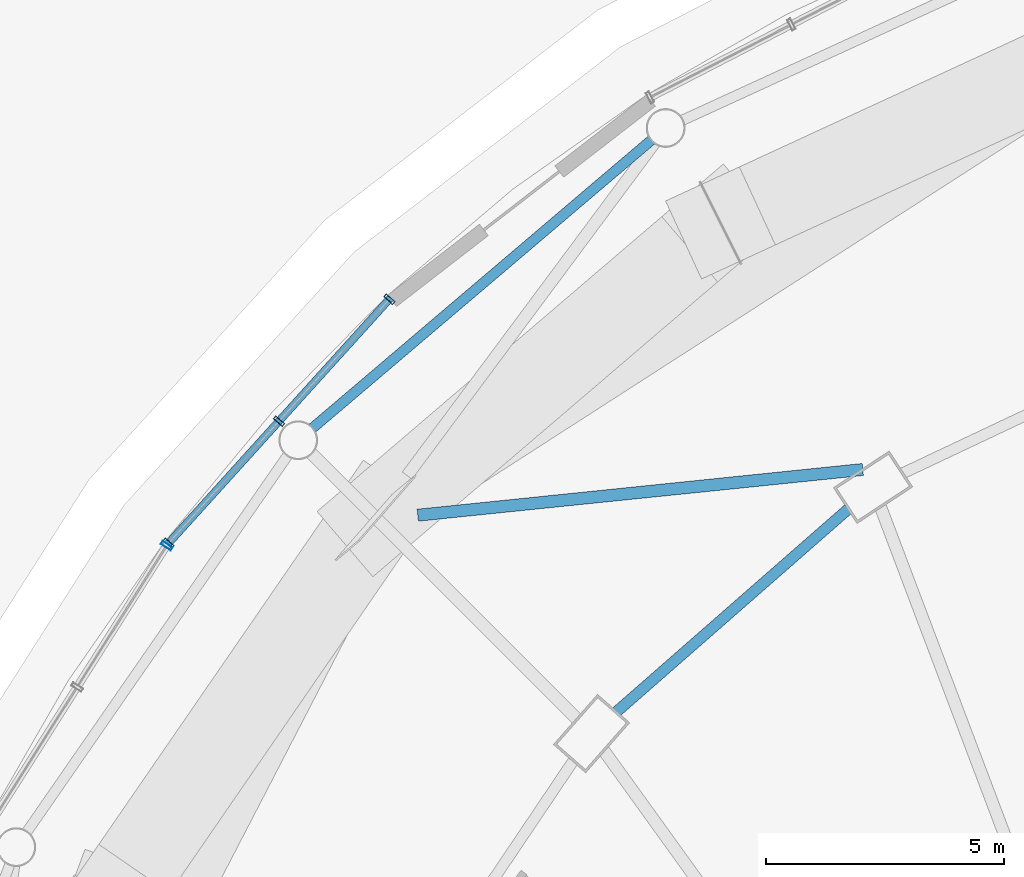
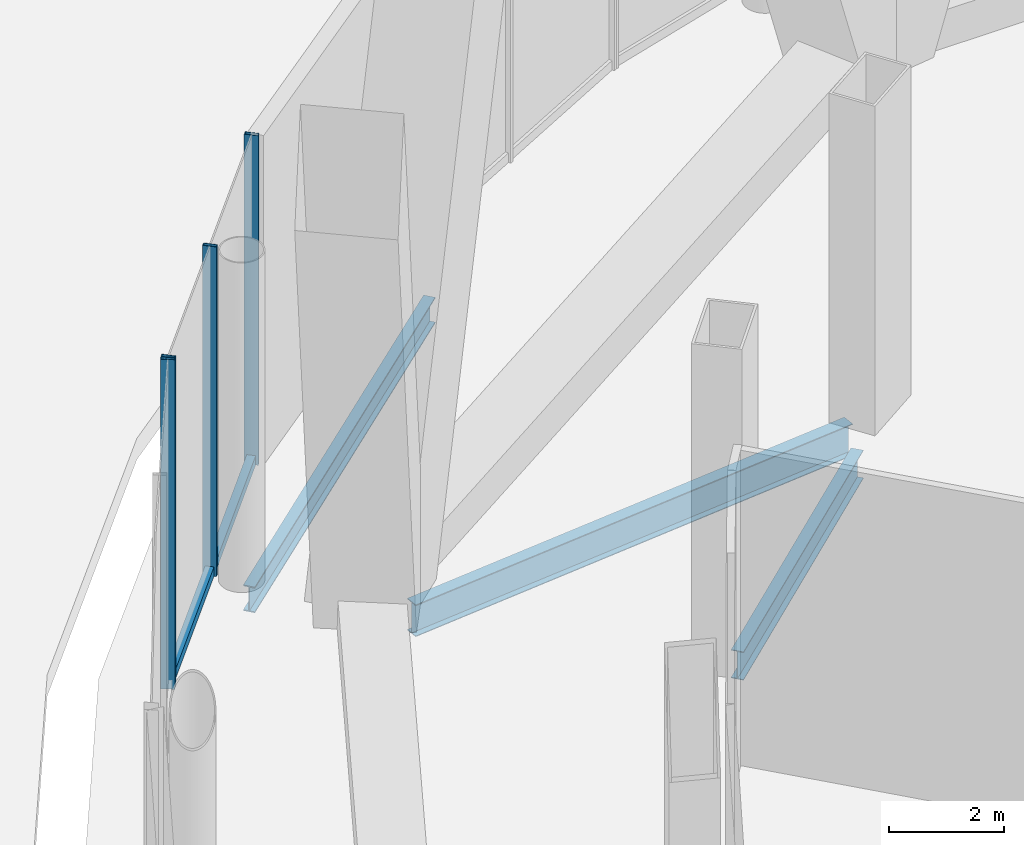
# One storey, part 43 of 67: 5 members, 3 beams, 2 elements without a shape of their own.
"""IFC4 building model written with IfcOpenShell, lengths in metres."""

from ifc_helpers import new_model, si_unit, direction, frame, origin, origin_2d, place, context, subcontext, project, spatial, hollow_rectangle, i_section, extrude, material, layer, layer_set, material_profile, profile_set, type_object, element, aggregate, save


model = new_model("IFC4")

# Units and contexts
model_context = context("Model", 3, precision=1e-05, world=origin(), true_north=direction((0.0, 1.0)))
body_context = subcontext(model_context, "Body", "Model", "MODEL_VIEW")
ifc_project = project(units=[si_unit("LENGTHUNIT", "METRE"), si_unit("AREAUNIT", "SQUARE_METRE"), si_unit("VOLUMEUNIT", "CUBIC_METRE"), si_unit("PLANEANGLEUNIT", "RADIAN"), si_unit("MASSUNIT", "GRAM", prefix="KILO")], contexts=[model_context])

# Site, building, storey
site_placement = place(None, origin())
site = spatial("IfcSite", under=ifc_project, at=site_placement, CompositionType="ELEMENT")
building_placement = place(site_placement, origin())
building = spatial("IfcBuilding", under=site, at=building_placement, Name="Nagisa Residences", CompositionType="ELEMENT")
storey_placement = place(building_placement, origin())
storey = spatial("IfcBuildingStorey", under=building, at=storey_placement, Name="L00", CompositionType="ELEMENT", Elevation=0.0)

# Beams
ifc_material_1 = material(Name="Steel ASTM A572 Gr 50", Category="steel")
ifc_material_profile_1 = material_profile(ifc_material_1, i_section(OverallWidth=0.2529296875, OverallDepth=0.677978515625, WebThickness=0.01171875, FlangeThickness=0.016357421875, at=origin_2d()), Name="W690x125")
ifc_profile_set_1 = profile_set([ifc_material_profile_1], Name="Steel ASTM A572 Gr 50")
beam_type_1 = type_object("IfcBeamType", Name="Atrium outer beam W690x125", PredefinedType="BEAM", material=ifc_profile_set_1)
beam_1_placement = place(storey_placement, frame((-10.865478515625, 28.518798828125, -0.739013671875), z_axis=(-0.994767206706, -0.102167531354, 0.0), x_axis=(0.102167531354, -0.994767206706, 0.0)))
element("IfcBeam", 1, at=beam_1_placement, inside=storey, type_object=beam_type_1, Name="beam:L00:er09a", PredefinedType="BEAM", context=body_context, shape_type="SweptSolid", body=[
    extrude(i_section(OverallWidth=0.2529296875, OverallDepth=0.677978515625, WebThickness=0.01171875, FlangeThickness=0.016357421875, at=origin_2d()), origin(), (0.0, 0.0, 1.0), 9.381591796875),
])
ifc_material_2 = material(Name="Steel ASTM A572 Gr 50", Category="steel")
ifc_material_profile_2 = material_profile(ifc_material_2, i_section(OverallWidth=0.214111328125, OverallDepth=0.549072265625, WebThickness=0.0146484375, FlangeThickness=0.023681640625, at=origin_2d()), Name="W530x138")
ifc_profile_set_2 = profile_set([ifc_material_profile_2], Name="Steel ASTM A572 Gr 50")
beam_type_2 = type_object("IfcBeamType", Name="Atrium ring beam W530x138", PredefinedType="BEAM", material=ifc_profile_set_2)
beam_2_placement = place(storey_placement, frame((-15.29443359375, 35.429931640625, -0.674560546875), z_axis=(-0.762007048716, -0.647568728173, 0.0), x_axis=(0.647568728173, -0.762007048716, 0.0)))
element("IfcBeam", 2, at=beam_2_placement, inside=storey, type_object=beam_type_2, Name="beam:L00:ab09", PredefinedType="BEAM", context=body_context, shape_type="SweptSolid", body=[
    extrude(i_section(OverallWidth=0.214111328125, OverallDepth=0.549072265625, WebThickness=0.0146484375, FlangeThickness=0.023681640625, at=origin_2d()), origin(), (0.0, 0.0, 1.0), 9.337890625),
])

# Curtain wall, members
ifc_material_3 = material(Name="Stainless steel curtain wall system", Category="steel")
ifc_layer = layer(ifc_material_3, 0.159912109375)
ifc_layer_set = layer_set([ifc_layer], Name="CW3 CURTAIN WALL")
curtain_wall_type = type_object("IfcCurtainWallType", Name="CW3 CURTAIN WALL", PredefinedType="NOTDEFINED", material=ifc_layer_set)
curtain_wall_1_placement = place(storey_placement, origin())
curtain_wall_1 = element("IfcCurtainWall", 3, at=curtain_wall_1_placement, inside=storey, type_object=curtain_wall_type, Name="cw:CW3:L00:13", PredefinedType="NOTDEFINED")
ifc_material_4 = material(Name="Stainless steel", Category="steel")
ifc_material_profile_3 = material_profile(ifc_material_4, hollow_rectangle(XDim=0.25, YDim=0.080078125, WallThickness=0.008056640625, at=origin_2d()), Name="CW3 MULLION 250x80")
ifc_profile_set_3 = profile_set([ifc_material_profile_3], Name="Stainless steel")
member_type_1 = type_object("IfcMemberType", Name="CW3 MULLION 250x80", PredefinedType="MULLION", material=ifc_profile_set_3)
member_1_placement = place(storey_placement, frame((-20.79345703125, 32.090576171875, 0.0), z_axis=(0.0, 0.0, 1.0), x_axis=(0.741535779122, -0.670913323971, 0.0)))
member_1 = element("IfcMember", 4, at=member_1_placement, type_object=member_type_1, Name="CW3 mullion", PredefinedType="MULLION", context=body_context, shape_type="SweptSolid", body=[
    extrude(hollow_rectangle(XDim=0.25, YDim=0.080078125, WallThickness=0.008056640625, at=origin_2d()), origin(), (0.0, 0.0, 1.0), 7.0),
])
member_2_placement = place(storey_placement, frame((-23.1083984375, 29.53173828125, 0.0), z_axis=(0.0, 0.0, 1.0), x_axis=(0.741535779122, -0.670913323971, 0.0)))
member_2 = element("IfcMember", 5, at=member_2_placement, type_object=member_type_1, Name="CW3 mullion", PredefinedType="MULLION", context=body_context, shape_type="SweptSolid", body=[
    extrude(hollow_rectangle(XDim=0.25, YDim=0.080078125, WallThickness=0.008056640625, at=origin_2d()), origin(), (0.0, 0.0, 1.0), 7.0),
])
member_3_placement = place(storey_placement, frame((-25.423583984375, 26.97314453125, 0.0), z_axis=(0.0, 0.0, 1.0), x_axis=(0.741535779122, -0.670913323971, 0.0)))
member_3 = element("IfcMember", 6, at=member_3_placement, type_object=member_type_1, Name="CW3 mullion", PredefinedType="MULLION", context=body_context, shape_type="SweptSolid", body=[
    extrude(hollow_rectangle(XDim=0.25, YDim=0.080078125, WallThickness=0.008056640625, at=origin_2d()), origin(), (0.0, 0.0, 1.0), 7.0),
])

# Curtain wall, member
curtain_wall_2_placement = place(storey_placement, origin())
curtain_wall_2 = element("IfcCurtainWall", 7, at=curtain_wall_2_placement, inside=storey, type_object=curtain_wall_type, Name="cw:CW3:L00:14", PredefinedType="NOTDEFINED")
member_4_placement = place(storey_placement, frame((-25.463623046875, 26.92041015625, 0.0), z_axis=(0.0, 0.0, 1.0), x_axis=(0.844747368001, -0.535165286856, 0.0)))
member_4 = element("IfcMember", 8, at=member_4_placement, type_object=member_type_1, Name="CW3 mullion", PredefinedType="MULLION", context=body_context, shape_type="SweptSolid", body=[
    extrude(hollow_rectangle(XDim=0.25, YDim=0.080078125, WallThickness=0.008056640625, at=origin_2d()), origin(), (0.0, 0.0, 1.0), 7.0),
])
aggregate(curtain_wall_2, [member_4])

# Member
ifc_material_5 = material(Name="Stainless steel", Category="steel")
ifc_material_profile_4 = material_profile(ifc_material_5, hollow_rectangle(XDim=0.159912109375, YDim=0.199951171875, WallThickness=0.008056640625, at=origin_2d()), Name="CW3 TRANSOM 160x200")
ifc_profile_set_4 = profile_set([ifc_material_profile_4], Name="Stainless steel")
member_type_2 = type_object("IfcMemberType", Name="CW3 TRANSOM 160x200", PredefinedType="USERDEFINED", material=ifc_profile_set_4)
member_5_placement = place(storey_placement, frame((-20.7666015625, 32.1201171875, 0.10009765625), z_axis=(-0.670921565259, -0.741528322635, 0.0), x_axis=(0.741528322635, -0.670921565259, 0.0)))
member_5 = element("IfcMember", 9, at=member_5_placement, type_object=member_type_2, Name="CW3 transom", ObjectType="TRANSOM", PredefinedType="USERDEFINED", context=body_context, shape_type="SweptSolid", body=[
    extrude(hollow_rectangle(XDim=0.159912109375, YDim=0.199951171875, WallThickness=0.008056640625, at=origin_2d()), origin(), (0.0, 0.0, 1.0), 6.981201171875),
])

aggregate(curtain_wall_1, [member_1, member_2, member_3, member_5])

# Beam
ifc_material_6 = material(Name="Steel ASTM A572 Gr 50", Category="steel")
ifc_material_profile_5 = material_profile(ifc_material_6, i_section(OverallWidth=0.22802734375, OverallDepth=0.60302734375, WebThickness=0.010498046875, FlangeThickness=0.014892578125, at=origin_2d()), Name="W610x101")
ifc_profile_set_5 = profile_set([ifc_material_profile_5], Name="Steel ASTM A572 Gr 50")
beam_type_3 = type_object("IfcBeamType", Name="Perimeter ring beam W610x101", PredefinedType="BEAM", material=ifc_profile_set_5)
beam_3_placement = place(storey_placement, frame((-11.166748046875, 27.693603515625, -0.701416015625), z_axis=(-0.752574357292, -0.658507279191, 0.0), x_axis=(0.658507279191, -0.752574357292, 0.0)))
element("IfcBeam", 10, at=beam_3_placement, inside=storey, type_object=beam_type_3, Name="beam:L00:pb09", PredefinedType="BEAM", context=body_context, shape_type="SweptSolid", body=[
    extrude(i_section(OverallWidth=0.22802734375, OverallDepth=0.60302734375, WebThickness=0.010498046875, FlangeThickness=0.014892578125, at=origin_2d()), origin(), (0.0, 0.0, 1.0), 6.47021484375),
])

save(model, "model.ifc")
